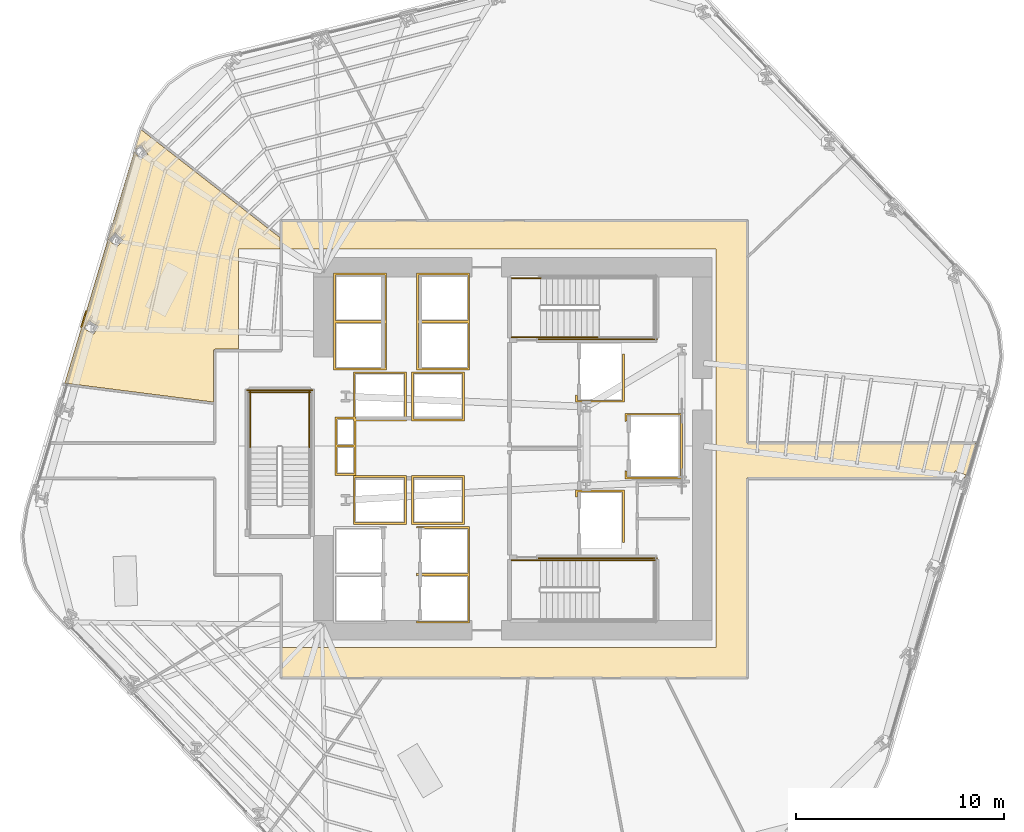
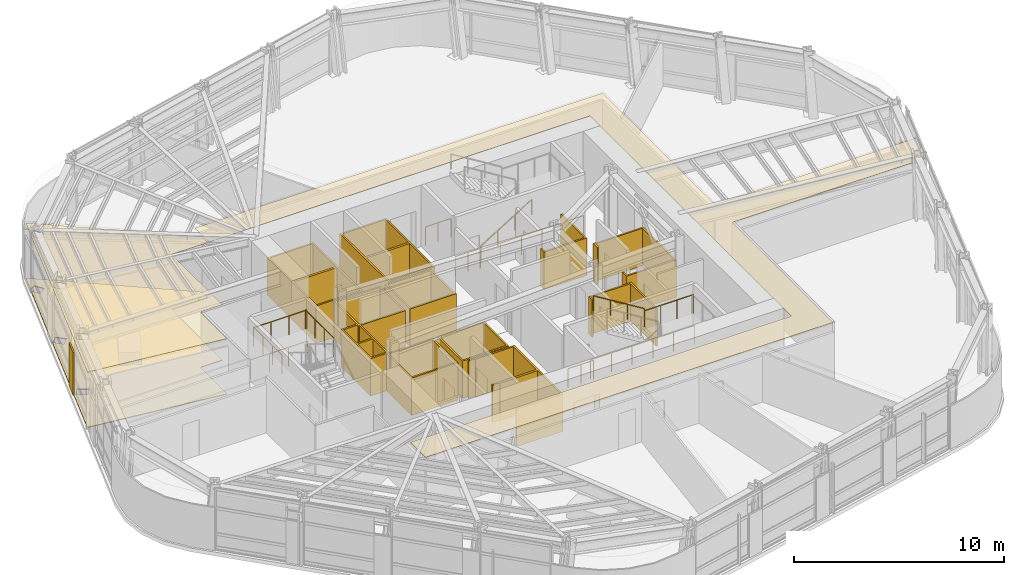
# One storey, part 14 of 17: 14 coverings, 12 railings.
"""IFC4 building model written with IfcOpenShell, lengths in metres."""

from ifc_helpers import new_model, si_unit, direction, frame, origin, origin_2d, place, context, subcontext, project, spatial, polyline, circle, outline, extrude, material, layer, layer_set, type_object, element, save


model = new_model("IFC4")

# Units and contexts
model_context = context("Model", 3, precision=1e-05, world=origin(), true_north=direction((0.0, 1.0)))
body_context = subcontext(model_context, "Body", "Model", "MODEL_VIEW")
ifc_project = project(units=[si_unit("LENGTHUNIT", "METRE"), si_unit("AREAUNIT", "SQUARE_METRE"), si_unit("VOLUMEUNIT", "CUBIC_METRE"), si_unit("PLANEANGLEUNIT", "RADIAN"), si_unit("MASSUNIT", "GRAM", prefix="KILO")], contexts=[model_context])

# Site, building, storey
site_placement = place(None, origin())
site = spatial("IfcSite", under=ifc_project, at=site_placement, CompositionType="ELEMENT")
building_placement = place(site_placement, origin())
building = spatial("IfcBuilding", under=site, at=building_placement, Name="Valkerne Bourse Tower", CompositionType="ELEMENT")
storey_placement = place(building_placement, frame((0.0, 0.0, 82.0)))
storey = spatial("IfcBuildingStorey", under=building, at=storey_placement, Name="L20", CompositionType="ELEMENT", Elevation=82.0)

# Coverings
ifc_material_1 = material(Name="Mineral Fiber Acoustic Ceiling Tile", Category="acoustic")
ifc_layer_1 = layer(ifc_material_1, 0.02490234375)
ifc_layer_set_1 = layer_set([ifc_layer_1], Name="Mineral Fiber Acoustic Ceiling Tile")
covering_type_1 = type_object("IfcCoveringType", Name="COV-CEIL-ACT", PredefinedType="CEILING", material=ifc_layer_set_1)
covering_1_placement = place(storey_placement, frame((0.0, 0.0, 3.22998046875)))
element("IfcCovering", 1, at=covering_1_placement, inside=storey, type_object=covering_type_1, Name="L20 Suspended Ceiling 07", PredefinedType="CEILING", context=body_context, shape_type="SweptSolid", body=[
    extrude(outline(polyline([(35.5810546875, 37.05078125), (35.5810546875, 36.5), (33.60009765625, 36.5), (33.60009765625, 31.6689453125), (32.44921875, 31.6689453125), (32.408447265625, 31.6552734375), (32.3876953125, 31.6298828125), (32.381103515625, 31.6005859375), (32.381103515625, 29.124267578125), (25.2265625, 30.03515625), (28.572265625, 41.199462890625), (28.84814453125, 40.8046875), (29.216064453125, 41.060302734375), (29.21826171875, 41.06298828125), (28.90966796875, 41.504638671875), (28.59912109375, 41.288818359375), (28.873779296875, 42.20556640625), (28.89404296875, 42.251220703125), (35.5810546875, 37.05078125)]), holes=[polyline([(26.85009765625, 32.759765625), (26.850830078125, 32.7626953125), (26.396484375, 33.052001953125), (26.15478515625, 32.67431640625), (26.15380859375, 32.67138671875), (26.6083984375, 32.382080078125), (26.85009765625, 32.759765625)]), polyline([(28.041015625, 36.90966796875), (27.655029296875, 37.285400390625), (27.341796875, 36.96484375), (27.340087890625, 36.9619140625), (27.726318359375, 36.586181640625), (28.039794921875, 36.906982421875), (28.041015625, 36.90966796875)])]), origin(), (0.0, 0.0, 1.0), 0.02490234375),
])
ifc_material_2 = material(Name="Bronze Anodised Aluminium AA 6063-T6", Category="aluminium")
ifc_layer_2 = layer(ifc_material_2, 0.030029296875)
ifc_layer_set_2 = layer_set([ifc_layer_2], Name="Bronze Anodised Aluminium AA 6063-T6")
covering_type_2 = type_object("IfcCoveringType", Name="COV-CEIL-METAL", PredefinedType="CEILING", material=ifc_layer_set_2)
covering_2_placement = place(storey_placement, frame((0.0, 0.0, 3.22998046875)))
element("IfcCovering", 2, at=covering_2_placement, inside=storey, type_object=covering_type_2, Name="L20 Suspended Ceiling 01", PredefinedType="CEILING", context=body_context, shape_type="SweptSolid", body=[
    extrude(outline(polyline([(69.1376953125, 27.14599609375), (68.642333984375, 25.4541015625), (68.556396484375, 25.4541015625), (68.61767578125, 25.6142578125), (68.617919921875, 25.6171875), (68.114013671875, 25.80810546875), (67.97900390625, 25.4541015625), (58.095947265625, 25.4541015625), (58.095947265625, 15.85400390625), (35.654052734375, 15.85400390625), (35.654052734375, 17.300048828125), (56.60009765625, 17.300048828125), (56.60009765625, 36.5), (35.654052734375, 36.5), (35.654052734375, 37.845947265625), (58.095947265625, 37.845947265625), (58.095947265625, 27.14599609375), (69.1376953125, 27.14599609375)])), origin(), (0.0, 0.0, 1.0), 0.02490234375),
])
ifc_layer_3 = layer(ifc_material_2, 0.06005859375)
ifc_layer_set_3 = layer_set([ifc_layer_3], Name="Bronze Anodised Aluminium AA 6063-T6")
covering_type_3 = type_object("IfcCoveringType", Name="COV-CRN-ALUM", PredefinedType="CLADDING", material=ifc_layer_set_3)
covering_3_placement = place(storey_placement, origin())
element("IfcCovering", 3, at=covering_3_placement, inside=storey, type_object=covering_type_3, Name="L20 Wind-Shaped Corner Aluminium Cladding 11", PredefinedType="CLADDING", context=body_context, shape_type="SweptSolid", body=[
    extrude(outline(polyline([(26.228515625, 33.531494140625), (26.30517578125, 33.5087890625), (26.06396484375, 32.704345703125), (25.9873046875, 32.72705078125), (26.228515625, 33.531494140625)])), origin(), (0.0, 0.0, 1.0), 2.5),
])
ifc_material_3 = material(Name="Galvanised Painted Steel", Category="steel")
ifc_layer_4 = layer(ifc_material_3, 0.044921875)
ifc_layer_set_4 = layer_set([ifc_layer_4], Name="Galvanised Painted Steel")
covering_type_4 = type_object("IfcCoveringType", Name="COV-FLR-RAF", PredefinedType="FLOORING", material=ifc_layer_set_4)
covering_4_placement = place(storey_placement, origin())
element("IfcCovering", 4, at=covering_4_placement, inside=storey, type_object=covering_type_4, Name="L20 Floor Finish 07", PredefinedType="FLOORING", context=body_context, shape_type="SweptSolid", body=[
    extrude(outline(polyline([(35.5810546875, 37.05078125), (35.5810546875, 36.5), (33.60009765625, 36.5), (33.60009765625, 31.6689453125), (32.44921875, 31.6689453125), (32.408447265625, 31.6552734375), (32.3876953125, 31.6298828125), (32.381103515625, 31.6005859375), (32.381103515625, 29.124267578125), (25.2265625, 30.03515625), (28.572265625, 41.199462890625), (28.84814453125, 40.8046875), (29.216064453125, 41.060302734375), (29.21826171875, 41.06298828125), (28.90966796875, 41.504638671875), (28.59912109375, 41.288818359375), (28.873779296875, 42.20556640625), (28.89404296875, 42.251220703125), (35.5810546875, 37.05078125)]), holes=[polyline([(26.85009765625, 32.759765625), (26.850830078125, 32.7626953125), (26.396484375, 33.052001953125), (26.15478515625, 32.67431640625), (26.15380859375, 32.67138671875), (26.6083984375, 32.382080078125), (26.85009765625, 32.759765625)]), polyline([(28.041015625, 36.90966796875), (27.655029296875, 37.285400390625), (27.341796875, 36.96484375), (27.340087890625, 36.9619140625), (27.726318359375, 36.586181640625), (28.039794921875, 36.906982421875), (28.041015625, 36.90966796875)])]), origin(), (0.0, 0.0, 1.0), 0.044921875),
])
ifc_material_4 = material(Name="Gypsum Shaftwall Liner Board", Category="gypsum")
ifc_layer_5 = layer(ifc_material_4, 0.080078125)
ifc_layer_set_5 = layer_set([ifc_layer_5], Name="Gypsum Shaftwall Liner Board")
covering_type_5 = type_object("IfcCoveringType", Name="COV-SHF-CLAD", PredefinedType="CLADDING", material=ifc_layer_set_5)
covering_5_placement = place(storey_placement, origin())
element("IfcCovering", 5, at=covering_5_placement, inside=storey, type_object=covering_type_5, Name="L20 Hoistway & Riser Shaftwall Liner 02", PredefinedType="CLADDING", context=body_context, shape_type="SweptSolid", body=[
    extrude(outline(polyline([(41.679931640625, 23.219970703125), (39.1201171875, 23.219970703125), (39.1201171875, 25.580078125), (41.679931640625, 25.580078125), (41.679931640625, 23.219970703125)]), holes=[polyline([(39.2099609375, 25.489990234375), (39.2099609375, 23.31005859375), (41.590087890625, 23.31005859375), (41.590087890625, 25.489990234375), (39.2099609375, 25.489990234375)])]), origin(), (0.0, 0.0, 1.0), 2.179931640625),
])
covering_6_placement = place(storey_placement, origin())
element("IfcCovering", 6, at=covering_6_placement, inside=storey, type_object=covering_type_5, Name="L20 Hoistway & Riser Shaftwall Liner 03", PredefinedType="CLADDING", context=body_context, shape_type="SweptSolid", body=[
    extrude(outline(polyline([(44.47998046875, 23.219970703125), (41.919921875, 23.219970703125), (41.919921875, 25.580078125), (44.47998046875, 25.580078125), (44.47998046875, 23.219970703125)]), holes=[polyline([(42.010009765625, 25.489990234375), (42.010009765625, 23.31005859375), (44.389892578125, 23.31005859375), (44.389892578125, 25.489990234375), (42.010009765625, 25.489990234375)])]), origin(), (0.0, 0.0, 1.0), 2.179931640625),
])
covering_7_placement = place(storey_placement, origin())
element("IfcCovering", 7, at=covering_7_placement, inside=storey, type_object=covering_type_5, Name="L20 Hoistway & Riser Shaftwall Liner 04", PredefinedType="CLADDING", context=body_context, shape_type="SweptSolid", body=[
    extrude(outline(polyline([(38.239990234375, 28.409912109375), (39.1201171875, 28.409912109375), (39.1201171875, 30.580078125), (41.679931640625, 30.580078125), (41.679931640625, 28.219970703125), (39.239990234375, 28.219970703125), (39.239990234375, 27.0400390625), (39.239990234375, 26.9599609375), (39.239990234375, 25.590087890625), (38.239990234375, 25.590087890625), (38.239990234375, 26.9599609375), (38.239990234375, 27.0400390625), (38.239990234375, 28.409912109375)]), holes=[polyline([(39.2099609375, 30.489990234375), (39.2099609375, 28.409912109375), (39.239990234375, 28.409912109375), (39.239990234375, 28.31005859375), (41.590087890625, 28.31005859375), (41.590087890625, 30.489990234375), (39.2099609375, 30.489990234375)]), polyline([(38.330078125, 26.949951171875), (38.330078125, 25.679931640625), (39.14990234375, 25.679931640625), (39.14990234375, 26.949951171875), (38.330078125, 26.949951171875)]), polyline([(39.1201171875, 28.219970703125), (39.1201171875, 28.320068359375), (38.330078125, 28.320068359375), (38.330078125, 27.050048828125), (39.14990234375, 27.050048828125), (39.14990234375, 28.219970703125), (39.1201171875, 28.219970703125)])]), origin(), (0.0, 0.0, 1.0), 2.179931640625),
])
covering_8_placement = place(storey_placement, origin())
element("IfcCovering", 8, at=covering_8_placement, inside=storey, type_object=covering_type_5, Name="L20 Hoistway & Riser Shaftwall Liner 05", PredefinedType="CLADDING", context=body_context, shape_type="SweptSolid", body=[
    extrude(outline(polyline([(38.169921875, 35.330078125), (40.72998046875, 35.330078125), (40.72998046875, 33.030029296875), (40.72998046875, 32.969970703125), (40.72998046875, 30.669921875), (38.169921875, 30.669921875), (38.169921875, 32.969970703125), (38.169921875, 33.030029296875), (38.169921875, 35.330078125)]), holes=[polyline([(38.260009765625, 32.93994140625), (38.260009765625, 30.760009765625), (40.639892578125, 30.760009765625), (40.639892578125, 32.93994140625), (38.260009765625, 32.93994140625)]), polyline([(38.260009765625, 35.239990234375), (38.260009765625, 33.06005859375), (40.639892578125, 33.06005859375), (40.639892578125, 35.239990234375), (38.260009765625, 35.239990234375)])]), origin(), (0.0, 0.0, 1.0), 2.179931640625),
])
covering_9_placement = place(storey_placement, origin())
element("IfcCovering", 9, at=covering_9_placement, inside=storey, type_object=covering_type_5, Name="L20 Hoistway & Riser Shaftwall Liner 06", PredefinedType="CLADDING", context=body_context, shape_type="SweptSolid", body=[
    extrude(outline(polyline([(42.169921875, 20.830078125), (42.169921875, 20.887939453125), (42.177734375, 20.88427734375), (42.219482421875, 20.869384765625), (42.26220703125, 20.858642578125), (42.305908203125, 20.852294921875), (42.35009765625, 20.85009765625), (42.39404296875, 20.852294921875), (42.437744140625, 20.858642578125), (42.443115234375, 20.860107421875), (44.639892578125, 20.860107421875), (44.639892578125, 23.0400390625), (42.555419921875, 23.0400390625), (42.522216796875, 23.0556640625), (42.480712890625, 23.070556640625), (42.437744140625, 23.081298828125), (42.39404296875, 23.087890625), (42.35009765625, 23.090087890625), (42.305908203125, 23.087890625), (42.26220703125, 23.081298828125), (42.219482421875, 23.070556640625), (42.177734375, 23.0556640625), (42.169921875, 23.052001953125), (42.169921875, 23.1298828125), (44.72998046875, 23.1298828125), (44.72998046875, 20.830078125), (44.72998046875, 20.77001953125), (44.72998046875, 18.469970703125), (42.169921875, 18.469970703125), (42.169921875, 18.587890625), (42.177734375, 18.584228515625), (42.219482421875, 18.5693359375), (42.26220703125, 18.55859375), (42.305908203125, 18.55224609375), (42.35009765625, 18.550048828125), (42.39404296875, 18.55224609375), (42.437744140625, 18.55859375), (42.443115234375, 18.56005859375), (44.639892578125, 18.56005859375), (44.639892578125, 20.739990234375), (42.555419921875, 20.739990234375), (42.522216796875, 20.755615234375), (42.480712890625, 20.7705078125), (42.437744140625, 20.781494140625), (42.39404296875, 20.787841796875), (42.35009765625, 20.7900390625), (42.305908203125, 20.787841796875), (42.26220703125, 20.781494140625), (42.219482421875, 20.7705078125), (42.177734375, 20.755615234375), (42.169921875, 20.752197265625), (42.169921875, 20.77001953125), (42.169921875, 20.830078125)])), origin(), (0.0, 0.0, 1.0), 2.179931640625),
])
covering_10_placement = place(storey_placement, origin())
element("IfcCovering", 10, at=covering_10_placement, inside=storey, type_object=covering_type_5, Name="L20 Hoistway & Riser Shaftwall Liner 07", PredefinedType="CLADDING", context=body_context, shape_type="SweptSolid", body=[
    extrude(outline(polyline([(52.179931640625, 22.35009765625), (52.090087890625, 22.35009765625), (52.090087890625, 24.7900390625), (49.909912109375, 24.7900390625), (49.909912109375, 24.560791015625), (49.869384765625, 24.550537109375), (49.827880859375, 24.53564453125), (49.820068359375, 24.531982421875), (49.820068359375, 24.8798828125), (52.179931640625, 24.8798828125), (52.179931640625, 22.35009765625)])), origin(), (0.0, 0.0, 1.0), 2.179931640625),
])
covering_11_placement = place(storey_placement, origin())
element("IfcCovering", 11, at=covering_11_placement, inside=storey, type_object=covering_type_5, Name="L20 Hoistway & Riser Shaftwall Liner 08", PredefinedType="CLADDING", context=body_context, shape_type="SweptSolid", body=[
    extrude(outline(polyline([(54.97998046875, 25.419921875), (52.219970703125, 25.419921875), (52.219970703125, 25.81787109375), (52.227783203125, 25.814208984375), (52.269287109375, 25.79931640625), (52.31005859375, 25.789306640625), (52.31005859375, 25.510009765625), (54.889892578125, 25.510009765625), (54.889892578125, 28.489990234375), (52.31005859375, 28.489990234375), (52.31005859375, 28.210693359375), (52.269287109375, 28.20068359375), (52.227783203125, 28.185791015625), (52.219970703125, 28.18212890625), (52.219970703125, 28.580078125), (54.97998046875, 28.580078125), (54.97998046875, 25.419921875)])), origin(), (0.0, 0.0, 1.0), 2.179931640625),
])
covering_12_placement = place(storey_placement, origin())
element("IfcCovering", 12, at=covering_12_placement, inside=storey, type_object=covering_type_5, Name="L20 Hoistway & Riser Shaftwall Liner 09", PredefinedType="CLADDING", context=body_context, shape_type="SweptSolid", body=[
    extrude(outline(polyline([(44.47998046875, 28.219970703125), (41.919921875, 28.219970703125), (41.919921875, 30.580078125), (44.47998046875, 30.580078125), (44.47998046875, 28.219970703125)]), holes=[polyline([(42.010009765625, 30.489990234375), (42.010009765625, 28.31005859375), (44.389892578125, 28.31005859375), (44.389892578125, 30.489990234375), (42.010009765625, 30.489990234375)])]), origin(), (0.0, 0.0, 1.0), 2.179931640625),
])
covering_13_placement = place(storey_placement, origin())
element("IfcCovering", 13, at=covering_13_placement, inside=storey, type_object=covering_type_5, Name="L20 Hoistway & Riser Shaftwall Liner 10", PredefinedType="CLADDING", context=body_context, shape_type="SweptSolid", body=[
    extrude(outline(polyline([(49.820068359375, 29.1201171875), (49.820068359375, 29.468017578125), (49.827880859375, 29.46435546875), (49.869384765625, 29.449462890625), (49.909912109375, 29.439208984375), (49.909912109375, 29.2099609375), (52.090087890625, 29.2099609375), (52.090087890625, 31.449951171875), (52.179931640625, 31.449951171875), (52.179931640625, 29.1201171875), (49.820068359375, 29.1201171875)])), origin(), (0.0, 0.0, 1.0), 2.179931640625),
])
covering_14_placement = place(storey_placement, origin())
element("IfcCovering", 14, at=covering_14_placement, inside=storey, type_object=covering_type_5, Name="L20 Hoistway & Riser Shaftwall Liner 11", PredefinedType="CLADDING", context=body_context, shape_type="SweptSolid", body=[
    extrude(outline(polyline([(44.72998046875, 35.330078125), (44.72998046875, 33.030029296875), (44.72998046875, 32.969970703125), (44.72998046875, 30.669921875), (42.169921875, 30.669921875), (42.169921875, 32.969970703125), (42.169921875, 33.030029296875), (42.169921875, 35.330078125), (44.72998046875, 35.330078125)]), holes=[polyline([(42.260009765625, 30.760009765625), (44.639892578125, 30.760009765625), (44.639892578125, 32.93994140625), (42.260009765625, 32.93994140625), (42.260009765625, 30.760009765625)]), polyline([(42.260009765625, 33.06005859375), (44.639892578125, 33.06005859375), (44.639892578125, 35.239990234375), (42.260009765625, 35.239990234375), (42.260009765625, 33.06005859375)])]), origin(), (0.0, 0.0, 1.0), 2.179931640625),
])

# Railings
railing_type_1 = type_object("IfcRailingType", Name="RLG-ST-GUARD-1120", PredefinedType="GUARDRAIL", material=ifc_material_3)
railing_1_placement = place(storey_placement, frame((50.949951171875, 21.5, 1.89990234375)))
element("IfcRailing", 15, at=railing_1_placement, inside=storey, type_object=railing_type_1, Name="L20 ST-1 stair guard 4", PredefinedType="GUARDRAIL", context=body_context, shape_type="SweptSolid", body=[
    extrude(circle(Radius=0.02392578125, at=origin_2d()), frame((0.0, 0.0, 1.09619140625), z_axis=(1.0, 0.0, 0.0), x_axis=(0.0, 1.0, 0.0)), (0.0, 0.0, 1.0), 2.699951171875),
    extrude(circle(Radius=0.02099609375, at=origin_2d()), origin(), (0.0, 0.0, 1.0), 1.072021484375),
    extrude(circle(Radius=0.02099609375, at=origin_2d()), frame((0.89990234375, 0.0, 0.0)), (0.0, 0.0, 1.0), 1.072021484375),
    extrude(circle(Radius=0.02099609375, at=origin_2d()), frame((1.800048828125, 0.0, 0.0)), (0.0, 0.0, 1.0), 1.072021484375),
    extrude(circle(Radius=0.02099609375, at=origin_2d()), frame((2.699951171875, 0.0, 0.0)), (0.0, 0.0, 1.0), 1.072021484375),
])
railing_2_placement = place(storey_placement, frame((46.75, 21.5, 0.0)))
element("IfcRailing", 16, at=railing_2_placement, inside=storey, type_object=railing_type_1, Name="L20 ST-1 stair guard 9", PredefinedType="GUARDRAIL", context=body_context, shape_type="SweptSolid", body=[
    extrude(circle(Radius=0.02392578125, at=origin_2d()), frame((0.0, 0.0, 1.09619140625), z_axis=(1.0, 0.0, 0.0), x_axis=(0.0, 1.0, 0.0)), (0.0, 0.0, 1.0), 1.39990234375),
    extrude(circle(Radius=0.02099609375, at=origin_2d()), origin(), (0.0, 0.0, 1.0), 1.072021484375),
    extrude(circle(Radius=0.02099609375, at=origin_2d()), frame((0.699951171875, 0.0, 0.0)), (0.0, 0.0, 1.0), 1.072021484375),
    extrude(circle(Radius=0.02099609375, at=origin_2d()), frame((1.39990234375, 0.0, 0.0)), (0.0, 0.0, 1.0), 1.072021484375),
])
railing_3_placement = place(storey_placement, frame((48.050048828125, 21.60009765625, 0.0)))
element("IfcRailing", 17, at=railing_3_placement, inside=storey, type_object=railing_type_1, Name="L20 ST-1 stair guard 11", PredefinedType="GUARDRAIL", context=body_context, shape_type="SweptSolid", body=[
    extrude(circle(Radius=0.02392578125, at=origin_2d()), frame((0.0, 0.0, 1.09619140625), z_axis=(1.0, 0.0, 0.0), x_axis=(0.0, 1.0, 0.0)), (0.0, 0.0, 1.0), 5.699951171875),
    extrude(circle(Radius=0.02099609375, at=origin_2d()), origin(), (0.0, 0.0, 1.0), 1.072021484375),
    extrude(circle(Radius=0.02099609375, at=origin_2d()), frame((1.139892578125, 0.0, 0.0)), (0.0, 0.0, 1.0), 1.072021484375),
    extrude(circle(Radius=0.02099609375, at=origin_2d()), frame((2.280029296875, 0.0, 0.0)), (0.0, 0.0, 1.0), 1.072021484375),
    extrude(circle(Radius=0.02099609375, at=origin_2d()), frame((3.419921875, 0.0, 0.0)), (0.0, 0.0, 1.0), 1.072021484375),
    extrude(circle(Radius=0.02099609375, at=origin_2d()), frame((4.56005859375, 0.0, 0.0)), (0.0, 0.0, 1.0), 1.072021484375),
    extrude(circle(Radius=0.02099609375, at=origin_2d()), frame((5.699951171875, 0.0, 0.0)), (0.0, 0.0, 1.0), 1.072021484375),
])
for number, where, name in (
    (18, (46.75, 32.25, 0.0), "L20 ST-2 stair guard 8"),
    (19, (46.75, 35.10009765625, 0.0), "L20 ST-2 stair guard 9"),
):
    element("IfcRailing", number, at=place(storey_placement, frame(where)), inside=storey, type_object=railing_type_1, Name=name, PredefinedType="GUARDRAIL", context=body_context, shape_type="SweptSolid", body=[
        extrude(circle(Radius=0.02392578125, at=origin_2d()), frame((0.0, 0.0, 1.09619140625), z_axis=(1.0, 0.0, 0.0), x_axis=(0.0, 1.0, 0.0)), (0.0, 0.0, 1.0), 1.39990234375),
        extrude(circle(Radius=0.02099609375, at=origin_2d()), origin(), (0.0, 0.0, 1.0), 1.072021484375),
        extrude(circle(Radius=0.02099609375, at=origin_2d()), frame((0.699951171875, 0.0, 0.0)), (0.0, 0.0, 1.0), 1.072021484375),
        extrude(circle(Radius=0.02099609375, at=origin_2d()), frame((1.39990234375, 0.0, 0.0)), (0.0, 0.0, 1.0), 1.072021484375),
    ])
railing_4_placement = place(storey_placement, frame((48.050048828125, 32.14990234375, 0.0)))
element("IfcRailing", 20, at=railing_4_placement, inside=storey, type_object=railing_type_1, Name="L20 ST-2 stair guard 10", PredefinedType="GUARDRAIL", context=body_context, shape_type="SweptSolid", body=[
    extrude(circle(Radius=0.02392578125, at=origin_2d()), frame((0.0, 0.0, 1.09619140625), z_axis=(1.0, 0.0, 0.0), x_axis=(0.0, 1.0, 0.0)), (0.0, 0.0, 1.0), 5.699951171875),
    extrude(circle(Radius=0.02099609375, at=origin_2d()), origin(), (0.0, 0.0, 1.0), 1.072021484375),
    extrude(circle(Radius=0.02099609375, at=origin_2d()), frame((1.139892578125, 0.0, 0.0)), (0.0, 0.0, 1.0), 1.072021484375),
    extrude(circle(Radius=0.02099609375, at=origin_2d()), frame((2.280029296875, 0.0, 0.0)), (0.0, 0.0, 1.0), 1.072021484375),
    extrude(circle(Radius=0.02099609375, at=origin_2d()), frame((3.419921875, 0.0, 0.0)), (0.0, 0.0, 1.0), 1.072021484375),
    extrude(circle(Radius=0.02099609375, at=origin_2d()), frame((4.56005859375, 0.0, 0.0)), (0.0, 0.0, 1.0), 1.072021484375),
    extrude(circle(Radius=0.02099609375, at=origin_2d()), frame((5.699951171875, 0.0, 0.0)), (0.0, 0.0, 1.0), 1.072021484375),
])
for number, where, name in (
    (21, (37.0, 26.949951171875, 1.89990234375), "L20 ST-3 stair guard 3"),
    (22, (34.14990234375, 26.949951171875, 1.89990234375), "L20 ST-3 stair guard 4"),
):
    element("IfcRailing", number, at=place(storey_placement, frame(where)), inside=storey, type_object=railing_type_1, Name=name, PredefinedType="GUARDRAIL", context=body_context, shape_type="SweptSolid", body=[
        extrude(circle(Radius=0.02392578125, at=origin_2d()), frame((0.0, 0.0, 1.09619140625), z_axis=(0.0, 1.0, 0.0), x_axis=(-1.0, 0.0, 0.0)), (0.0, 0.0, 1.0), 2.699951171875),
        extrude(circle(Radius=0.02099609375, at=origin_2d()), origin(), (0.0, 0.0, 1.0), 1.072021484375),
        extrude(circle(Radius=0.02099609375, at=origin_2d()), frame((0.0, 0.89990234375, 0.0)), (0.0, 0.0, 1.0), 1.072021484375),
        extrude(circle(Radius=0.02099609375, at=origin_2d()), frame((0.0, 1.800048828125, 0.0)), (0.0, 0.0, 1.0), 1.072021484375),
        extrude(circle(Radius=0.02099609375, at=origin_2d()), frame((0.0, 2.699951171875, 0.0)), (0.0, 0.0, 1.0), 1.072021484375),
    ])
railing_5_placement = place(storey_placement, frame((37.050048828125, 29.60009765625, 1.89990234375)))
element("IfcRailing", 23, at=railing_5_placement, inside=storey, type_object=railing_type_1, Name="L20 ST-3 stair guard 5", PredefinedType="GUARDRAIL", context=body_context, shape_type="SweptSolid", body=[
    extrude(circle(Radius=0.02392578125, at=origin_2d()), frame((0.0, 0.0, 1.09619140625), z_axis=(-1.0, 0.0, 0.0), x_axis=(0.0, -1.0, 0.0)), (0.0, 0.0, 1.0), 2.949951171875),
    extrude(circle(Radius=0.02099609375, at=origin_2d()), origin(), (0.0, 0.0, 1.0), 1.072021484375),
    extrude(circle(Radius=0.02099609375, at=origin_2d()), frame((-0.9833984375, 0.0, 0.0)), (0.0, 0.0, 1.0), 1.072021484375),
    extrude(circle(Radius=0.02099609375, at=origin_2d()), frame((-1.966552734375, 0.0, 0.0)), (0.0, 0.0, 1.0), 1.072021484375),
    extrude(circle(Radius=0.02099609375, at=origin_2d()), frame((-2.949951171875, 0.0, 0.0)), (0.0, 0.0, 1.0), 1.072021484375),
])
railing_6_placement = place(storey_placement, frame((37.14990234375, 29.699951171875, 0.0)))
element("IfcRailing", 24, at=railing_6_placement, inside=storey, type_object=railing_type_1, Name="L20 ST-3 stair guard 12", PredefinedType="GUARDRAIL", context=body_context, shape_type="SweptSolid", body=[
    extrude(circle(Radius=0.02392578125, at=origin_2d()), frame((0.0, 0.0, 1.09619140625), z_axis=(-1.0, 0.0, 0.0), x_axis=(0.0, -1.0, 0.0)), (0.0, 0.0, 1.0), 3.14990234375),
    extrude(circle(Radius=0.02099609375, at=origin_2d()), origin(), (0.0, 0.0, 1.0), 1.072021484375),
    extrude(circle(Radius=0.02099609375, at=origin_2d()), frame((-1.050048828125, 0.0, 0.0)), (0.0, 0.0, 1.0), 1.072021484375),
    extrude(circle(Radius=0.02099609375, at=origin_2d()), frame((-2.099853515625, 0.0, 0.0)), (0.0, 0.0, 1.0), 1.072021484375),
    extrude(circle(Radius=0.02099609375, at=origin_2d()), frame((-3.14990234375, 0.0, 0.0)), (0.0, 0.0, 1.0), 1.072021484375),
])
ifc_material_5 = material(Name="Stainless Steel AISI 316", Category="steel")
railing_type_2 = type_object("IfcRailingType", Name="RLG-ST-HANDRAIL-900", PredefinedType="HANDRAIL", material=ifc_material_5)
railing_7_placement = place(storey_placement, frame((50.949951171875, 21.5, 2.245361328125)))
element("IfcRailing", 25, at=railing_7_placement, inside=storey, type_object=railing_type_2, Name="L20 ST-1 stair handrail 2", PredefinedType="HANDRAIL", context=body_context, shape_type="SweptSolid", body=[
    extrude(circle(Radius=0.02392578125, at=origin_2d()), frame((0.0, 0.0, 0.8759765625), z_axis=(-0.851089632645, 0.0, 0.525020415988), x_axis=(0.0, -1.0, 0.0)), (0.0, 0.0, 1.0), 3.2900390625),
    extrude(circle(Radius=0.02099609375, at=origin_2d()), origin(), (0.0, 0.0, 1.0), 0.851806640625),
    extrude(circle(Radius=0.02099609375, at=origin_2d()), frame((-0.933349609375, 0.0, 0.57568359375)), (0.0, 0.0, 1.0), 0.851806640625),
    extrude(circle(Radius=0.02099609375, at=origin_2d()), frame((-1.86669921875, 0.0, 1.151611328125)), (0.0, 0.0, 1.0), 0.851806640625),
    extrude(circle(Radius=0.02099609375, at=origin_2d()), frame((-2.800048828125, 0.0, 1.727294921875)), (0.0, 0.0, 1.0), 0.851806640625),
])
railing_8_placement = place(storey_placement, frame((48.14990234375, 32.25, 0.345458984375)))
element("IfcRailing", 26, at=railing_8_placement, inside=storey, type_object=railing_type_2, Name="L20 ST-2 stair handrail 1", PredefinedType="HANDRAIL", context=body_context, shape_type="SweptSolid", body=[
    extrude(circle(Radius=0.02392578125, at=origin_2d()), frame((0.0, 0.0, 0.8759765625), z_axis=(0.851089632645, 0.0, 0.525020415988), x_axis=(0.0, 1.0, 0.0)), (0.0, 0.0, 1.0), 3.2900390625),
    extrude(circle(Radius=0.02099609375, at=origin_2d()), origin(), (0.0, 0.0, 1.0), 0.851806640625),
    extrude(circle(Radius=0.02099609375, at=origin_2d()), frame((0.933349609375, 0.0, 0.57568359375)), (0.0, 0.0, 1.0), 0.851806640625),
    extrude(circle(Radius=0.02099609375, at=origin_2d()), frame((1.86669921875, 0.0, 1.151611328125)), (0.0, 0.0, 1.0), 0.851806640625),
    extrude(circle(Radius=0.02099609375, at=origin_2d()), frame((2.800048828125, 0.0, 1.727294921875)), (0.0, 0.0, 1.0), 0.851806640625),
])

save(model, "model.ifc")
